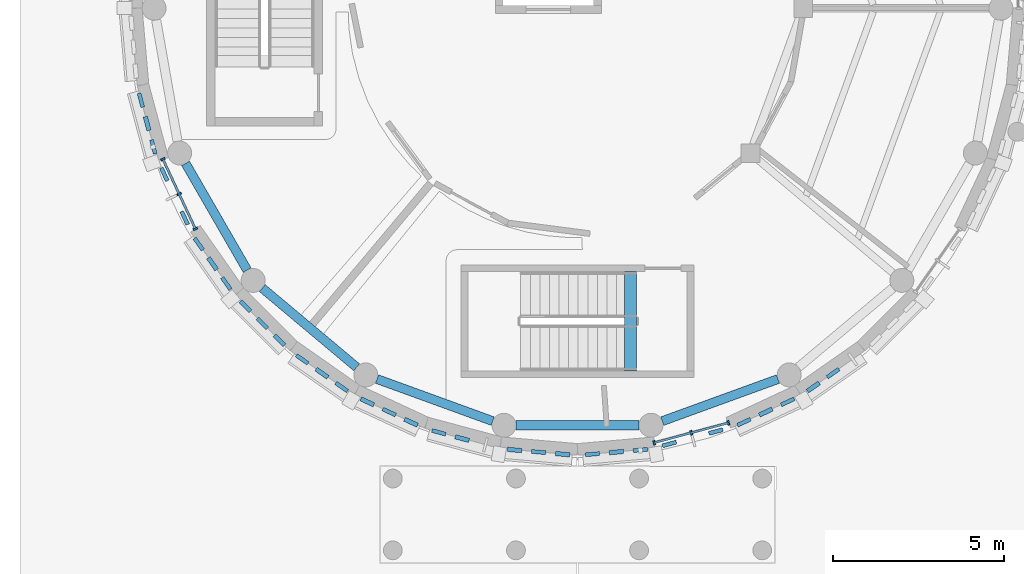
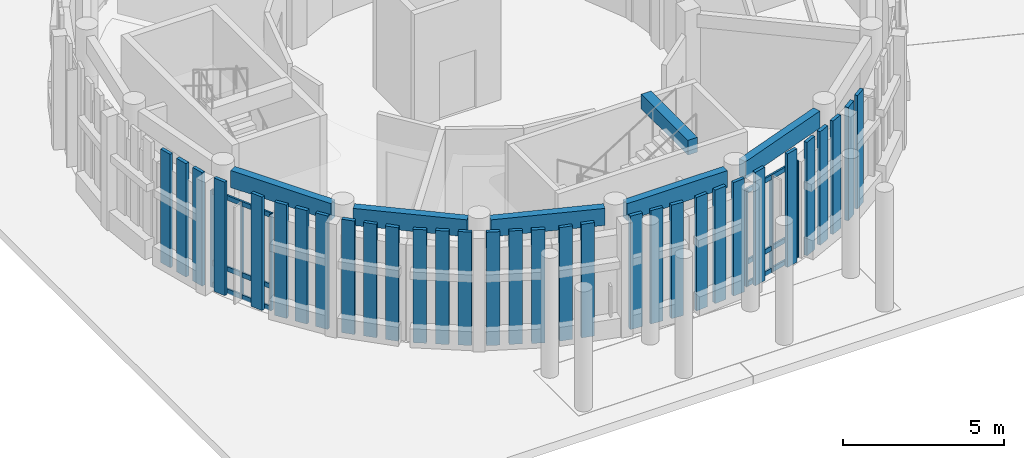
# One storey, part 5 of 94: 44 members, 6 beams, 2 elements without a shape of their own.
"""IFC4 building model written with IfcOpenShell, lengths in metres."""

from ifc_helpers import new_model, si_unit, direction, frame, origin, origin_2d, place, context, subcontext, project, spatial, rectangle, extrude, material, layer, layer_set, material_profile, profile_set, type_object, element, aggregate, save


model = new_model("IFC4")

# Units and contexts
model_context = context("Model", 3, precision=1e-05, world=origin(), true_north=direction((0.0, 1.0)))
body_context = subcontext(model_context, "Body", "Model", "MODEL_VIEW")
ifc_project = project(units=[si_unit("LENGTHUNIT", "METRE"), si_unit("AREAUNIT", "SQUARE_METRE"), si_unit("VOLUMEUNIT", "CUBIC_METRE"), si_unit("PLANEANGLEUNIT", "RADIAN"), si_unit("MASSUNIT", "GRAM", prefix="KILO")], contexts=[model_context])

# Site, building, storey
site_placement = place(None, origin())
site = spatial("IfcSite", under=ifc_project, at=site_placement, CompositionType="ELEMENT")
building_placement = place(site_placement, origin())
building = spatial("IfcBuilding", under=site, at=building_placement, Name="Aldenvaro Health Centre", CompositionType="ELEMENT")
storey_placement = place(building_placement, origin())
storey = spatial("IfcBuildingStorey", under=building, at=storey_placement, Name="L00", CompositionType="ELEMENT", Elevation=0.0)

# Beams
ifc_material_1 = material(Name="Glulam GL28h", Category="wood")
ifc_material_profile_1 = material_profile(ifc_material_1, rectangle(XDim=0.264892578125, YDim=0.64599609375, at=origin_2d()), Name="GL 265x646", Category="wood")
ifc_profile_set_1 = profile_set([ifc_material_profile_1], Name="Glulam GL28h")
beam_type_1 = type_object("IfcBeamType", Name="BM-GL-646", PredefinedType="SPANDREL", material=ifc_profile_set_1)
beam_1_placement = place(storey_placement, frame((7.0419921875, 13.962890625, 3.98193359375), z_axis=(0.499779208992, -0.866152840011, 0.0), x_axis=(0.866152840011, 0.499779208992, 0.0)))
element("IfcBeam", 1, at=beam_1_placement, inside=storey, type_object=beam_type_1, Name="D5 L00 perimeter spandrel 11", PredefinedType="SPANDREL", context=body_context, shape_type="SweptSolid", body=[
    extrude(rectangle(XDim=0.264892578125, YDim=0.64599609375, at=origin_2d()), origin(), (0.0, 0.0, 1.0), 3.599853515625),
])
beam_2_placement = place(storey_placement, frame((9.283935546875, 10.31689453125, 3.98193359375), z_axis=(0.766221705246, -0.642576297734, 0.0), x_axis=(0.642576297734, 0.766221705246, 0.0)))
element("IfcBeam", 2, at=beam_2_placement, inside=storey, type_object=beam_type_1, Name="D5 L00 perimeter spandrel 12", PredefinedType="SPANDREL", context=body_context, shape_type="SweptSolid", body=[
    extrude(rectangle(XDim=0.264892578125, YDim=0.64599609375, at=origin_2d()), origin(), (0.0, 0.0, 1.0), 3.599609375),
])
beam_3_placement = place(storey_placement, frame((12.638916015625, 7.658935546875, 3.98193359375), z_axis=(0.939694357354, -0.342015372106, 0.0), x_axis=(0.342015372106, 0.939694357354, 0.0)))
element("IfcBeam", 3, at=beam_3_placement, inside=storey, type_object=beam_type_1, Name="D5 L00 perimeter spandrel 13", PredefinedType="SPANDREL", context=body_context, shape_type="SweptSolid", body=[
    extrude(rectangle(XDim=0.264892578125, YDim=0.64599609375, at=origin_2d()), origin(), (0.0, 0.0, 1.0), 3.59912109375),
])
beam_4_placement = place(storey_placement, frame((16.699951171875, 6.30810546875, 3.98193359375), z_axis=(1.0, 0.0, 0.0), x_axis=(0.0, 1.0, 0.0)))
element("IfcBeam", 4, at=beam_4_placement, inside=storey, type_object=beam_type_1, Name="D5 L00 perimeter spandrel 14", PredefinedType="SPANDREL", context=body_context, shape_type="SweptSolid", body=[
    extrude(rectangle(XDim=0.264892578125, YDim=0.64599609375, at=origin_2d()), origin(), (0.0, 0.0, 1.0), 3.60009765625),
])
beam_5_placement = place(storey_placement, frame((20.97900390625, 6.427978515625, 3.98193359375), z_axis=(0.939694357354, 0.342015372106, 0.0), x_axis=(-0.342015372106, 0.939694357354, 0.0)))
element("IfcBeam", 5, at=beam_5_placement, inside=storey, type_object=beam_type_1, Name="D5 L00 perimeter spandrel 15", PredefinedType="SPANDREL", context=body_context, shape_type="SweptSolid", body=[
    extrude(rectangle(XDim=0.264892578125, YDim=0.64599609375, at=origin_2d()), origin(), (0.0, 0.0, 1.0), 3.59912109375),
])
ifc_material_2 = material(Name="Concrete f'c 40 MPa", Category="concrete")
ifc_material_profile_2 = material_profile(ifc_material_2, rectangle(XDim=0.35009765625, YDim=0.56005859375, at=origin_2d()), Name="RC 350x560", Category="concrete")
ifc_profile_set_2 = profile_set([ifc_material_profile_2], Name="Concrete f'c 40 MPa")
beam_type_2 = type_object("IfcBeamType", Name="BM-RC-560", PredefinedType="JOIST", material=ifc_profile_set_2)
beam_6_placement = place(storey_placement, frame((20.050048828125, 10.800048828125, 4.27001953125), z_axis=(0.0, -1.0, 0.0), x_axis=(1.0, 0.0, 0.0)))
element("IfcBeam", 6, at=beam_6_placement, inside=storey, type_object=beam_type_2, Name="ST-10 L01 stair landing trimmer beam", PredefinedType="JOIST", context=body_context, shape_type="SweptSolid", body=[
    extrude(rectangle(XDim=0.35009765625, YDim=0.56005859375, at=origin_2d()), origin(), (0.0, 0.0, 1.0), 2.900146484375),
])

# Curtain wall, members
ifc_material_3 = material(Name="Anodised Aluminium 6063-T6", Category="aluminium")
ifc_layer = layer(ifc_material_3, 0.195068359375, Name="Anodised Aluminium 6063-T6", Category="aluminium")
ifc_layer_set = layer_set([ifc_layer], Name="Anodised Aluminium 6063-T6")
curtain_wall_type = type_object("IfcCurtainWallType", Name="CW-CLN-02", PredefinedType="NOTDEFINED", material=ifc_layer_set)
curtain_wall_1_placement = place(storey_placement, origin())
curtain_wall_1 = element("IfcCurtainWall", 7, at=curtain_wall_1_placement, inside=storey, type_object=curtain_wall_type, Name="D5 L00 curtain wall bay 08", PredefinedType="NOTDEFINED")
ifc_material_profile_3 = material_profile(ifc_material_3, rectangle(XDim=0.06005859375, YDim=0.135009765625, at=origin_2d()), Name="ALU 60x135", Category="aluminium")
ifc_profile_set_3 = profile_set([ifc_material_profile_3], Name="Anodised Aluminium 6063-T6")
member_type_1 = type_object("IfcMemberType", Name="CWM-150", PredefinedType="MULLION", material=ifc_profile_set_3)
member_1_placement = place(storey_placement, frame((22.912109375, 6.3779296875, 0.0), z_axis=(0.0, 0.0, 1.0), x_axis=(-0.9659242304, -0.258825000966, 0.0)))
member_1 = element("IfcMember", 8, at=member_1_placement, type_object=member_type_1, Name="D5 L00 curtain wall bay 08 mullion 1", PredefinedType="MULLION", context=body_context, shape_type="SweptSolid", body=[
    extrude(rectangle(XDim=0.06005859375, YDim=0.135009765625, at=origin_2d()), origin(), (0.0, 0.0, 1.0), 3.658935546875),
])
member_2_placement = place(storey_placement, frame((21.825927734375, 6.0869140625, 0.0), z_axis=(0.0, 0.0, 1.0), x_axis=(-0.9659242304, -0.258825000966, 0.0)))
member_2 = element("IfcMember", 9, at=member_2_placement, type_object=member_type_1, Name="D5 L00 curtain wall bay 08 mullion 2", PredefinedType="MULLION", context=body_context, shape_type="SweptSolid", body=[
    extrude(rectangle(XDim=0.06005859375, YDim=0.135009765625, at=origin_2d()), origin(), (0.0, 0.0, 1.0), 3.658935546875),
])
member_3_placement = place(storey_placement, frame((20.739990234375, 5.7958984375, 0.0), z_axis=(0.0, 0.0, 1.0), x_axis=(-0.9659242304, -0.258825000966, 0.0)))
member_3 = element("IfcMember", 10, at=member_3_placement, type_object=member_type_1, Name="D5 L00 curtain wall bay 08 mullion 3", PredefinedType="MULLION", context=body_context, shape_type="SweptSolid", body=[
    extrude(rectangle(XDim=0.06005859375, YDim=0.135009765625, at=origin_2d()), origin(), (0.0, 0.0, 1.0), 3.658935546875),
])

curtain_wall_2_placement = place(storey_placement, origin())
curtain_wall_2 = element("IfcCurtainWall", 11, at=curtain_wall_2_placement, inside=storey, type_object=curtain_wall_type, Name="D5 L00 curtain wall bay 16", PredefinedType="NOTDEFINED")
member_4_placement = place(storey_placement, frame((7.327880859375, 12.050048828125, 0.0), z_axis=(0.0, 0.0, 1.0), x_axis=(-0.422495879545, 0.906364844733, 0.0)))
member_4 = element("IfcMember", 12, at=member_4_placement, type_object=member_type_1, Name="D5 L00 curtain wall bay 16 mullion 1", PredefinedType="MULLION", context=body_context, shape_type="SweptSolid", body=[
    extrude(rectangle(XDim=0.06005859375, YDim=0.135009765625, at=origin_2d()), origin(), (0.0, 0.0, 1.0), 3.658935546875),
])
member_5_placement = place(storey_placement, frame((6.85302734375, 13.069091796875, 0.0), z_axis=(0.0, 0.0, 1.0), x_axis=(-0.422495879545, 0.906364844733, 0.0)))
member_5 = element("IfcMember", 13, at=member_5_placement, type_object=member_type_1, Name="D5 L00 curtain wall bay 16 mullion 2", PredefinedType="MULLION", context=body_context, shape_type="SweptSolid", body=[
    extrude(rectangle(XDim=0.06005859375, YDim=0.135009765625, at=origin_2d()), origin(), (0.0, 0.0, 1.0), 3.658935546875),
])
member_6_placement = place(storey_placement, frame((6.3779296875, 14.087890625, 0.0), z_axis=(0.0, 0.0, 1.0), x_axis=(-0.422495879545, 0.906364844733, 0.0)))
member_6 = element("IfcMember", 14, at=member_6_placement, type_object=member_type_1, Name="D5 L00 curtain wall bay 16 mullion 3", PredefinedType="MULLION", context=body_context, shape_type="SweptSolid", body=[
    extrude(rectangle(XDim=0.06005859375, YDim=0.135009765625, at=origin_2d()), origin(), (0.0, 0.0, 1.0), 3.658935546875),
])

# Member
ifc_material_profile_4 = material_profile(ifc_material_3, rectangle(XDim=0.06494140625, YDim=0.179931640625, at=origin_2d()), Name="ALU 65x180", Category="aluminium")
ifc_profile_set_4 = profile_set([ifc_material_profile_4], Name="Anodised Aluminium 6063-T6")
member_type_2 = type_object("IfcMemberType", Name="CWT-150", PredefinedType="USERDEFINED", material=ifc_profile_set_4)
member_7_placement = place(storey_placement, frame((22.912109375, 6.3779296875, 0.06005859375), z_axis=(-0.96592430538, -0.258824721145, 0.0), x_axis=(0.258824721145, -0.96592430538, 0.0)))
member_7 = element("IfcMember", 15, at=member_7_placement, type_object=member_type_2, Name="D5 L00 curtain wall bay 08 transom 1", ObjectType="TRANSOM", PredefinedType="USERDEFINED", context=body_context, shape_type="SweptSolid", body=[
    extrude(rectangle(XDim=0.06494140625, YDim=0.179931640625, at=origin_2d()), origin(), (0.0, 0.0, 1.0), 2.248779296875),
])

member_8_placement = place(storey_placement, frame((22.912109375, 6.3779296875, 0.89990234375), z_axis=(-0.96592430538, -0.258824721145, 0.0), x_axis=(0.258824721145, -0.96592430538, 0.0)))
member_8 = element("IfcMember", 16, at=member_8_placement, type_object=member_type_2, Name="D5 L00 curtain wall bay 08 transom 2", ObjectType="TRANSOM", PredefinedType="USERDEFINED", context=body_context, shape_type="SweptSolid", body=[
    extrude(rectangle(XDim=0.06494140625, YDim=0.179931640625, at=origin_2d()), origin(), (0.0, 0.0, 1.0), 2.248779296875),
])

member_9_placement = place(storey_placement, frame((22.912109375, 6.3779296875, 3.59912109375), z_axis=(-0.96592430538, -0.258824721145, 0.0), x_axis=(0.258824721145, -0.96592430538, 0.0)))
member_9 = element("IfcMember", 17, at=member_9_placement, type_object=member_type_2, Name="D5 L00 curtain wall bay 08 transom 3", ObjectType="TRANSOM", PredefinedType="USERDEFINED", context=body_context, shape_type="SweptSolid", body=[
    extrude(rectangle(XDim=0.06494140625, YDim=0.179931640625, at=origin_2d()), origin(), (0.0, 0.0, 1.0), 2.248779296875),
])

aggregate(curtain_wall_1, [member_1, member_2, member_3, member_7, member_8, member_9])

member_10_placement = place(storey_placement, frame((7.327880859375, 12.050048828125, 0.06005859375), z_axis=(-0.422504983593, 0.906360600886, 0.0), x_axis=(-0.906360600886, -0.422504983593, 0.0)))
member_10 = element("IfcMember", 18, at=member_10_placement, type_object=member_type_2, Name="D5 L00 curtain wall bay 16 transom 1", ObjectType="TRANSOM", PredefinedType="USERDEFINED", context=body_context, shape_type="SweptSolid", body=[
    extrude(rectangle(XDim=0.06494140625, YDim=0.179931640625, at=origin_2d()), origin(), (0.0, 0.0, 1.0), 2.248291015625),
])

member_11_placement = place(storey_placement, frame((7.327880859375, 12.050048828125, 0.89990234375), z_axis=(-0.422504983593, 0.906360600886, 0.0), x_axis=(-0.906360600886, -0.422504983593, 0.0)))
member_11 = element("IfcMember", 19, at=member_11_placement, type_object=member_type_2, Name="D5 L00 curtain wall bay 16 transom 2", ObjectType="TRANSOM", PredefinedType="USERDEFINED", context=body_context, shape_type="SweptSolid", body=[
    extrude(rectangle(XDim=0.06494140625, YDim=0.179931640625, at=origin_2d()), origin(), (0.0, 0.0, 1.0), 2.248291015625),
])

member_12_placement = place(storey_placement, frame((7.327880859375, 12.050048828125, 3.59912109375), z_axis=(-0.422504983593, 0.906360600886, 0.0), x_axis=(-0.906360600886, -0.422504983593, 0.0)))
member_12 = element("IfcMember", 20, at=member_12_placement, type_object=member_type_2, Name="D5 L00 curtain wall bay 16 transom 3", ObjectType="TRANSOM", PredefinedType="USERDEFINED", context=body_context, shape_type="SweptSolid", body=[
    extrude(rectangle(XDim=0.06494140625, YDim=0.179931640625, at=origin_2d()), origin(), (0.0, 0.0, 1.0), 2.248291015625),
])

aggregate(curtain_wall_2, [member_4, member_5, member_6, member_10, member_11, member_12])

# Members
ifc_material_profile_5 = material_profile(ifc_material_1, rectangle(XDim=0.114990234375, YDim=0.419921875, at=origin_2d()), Name="GL 115x420", Category="wood")
ifc_profile_set_5 = profile_set([ifc_material_profile_5], Name="Glulam GL28h")
member_type_3 = type_object("IfcMemberType", Name="MEM-SLT-420A", PredefinedType="POST", material=ifc_profile_set_5)
for number, where, z_axis, x_axis, name in (
    (21, (25.970947265625, 7.830078125, 0.0), (0.0, 0.0, 1.0), (0.573641397746, -0.819106553991, 0.0), "D5 L00 vertical timber slat 6.2"),
    (22, (24.64306640625, 6.991943359375, 0.0), (0.0, 0.0, 1.0), (0.422495879545, -0.906364844733, 0.0), "D5 L00 vertical timber slat 7.1"),
    (23, (23.366943359375, 6.39697265625, 0.0), (0.0, 0.0, 1.0), (0.422495879545, -0.906364844733, 0.0), "D5 L00 vertical timber slat 7.3"),
    (24, (22.544921875, 6.1240234375, 0.0), (0.0, 0.0, 1.0), (0.258825000966, -0.9659242304, 0.0), "D5 L00 curtain mullion timber slat 8"),
    (25, (21.18505859375, 5.760009765625, 0.0), (0.0, 0.0, 1.0), (0.258825000966, -0.9659242304, 0.0), "D5 L00 curtain mullion timber slat 8"),
    (26, (20.3369140625, 5.5849609375, 0.0), (0.0, 0.0, 1.0), (0.087166950289, -0.996193717495, 0.0), "D5 L00 vertical timber slat 9.1"),
    (27, (18.93408203125, 5.4619140625, 0.0), (0.0, 0.0, 1.0), (0.087166950289, -0.996193717495, 0.0), "D5 L00 vertical timber slat 9.3"),
    (28, (17.364990234375, 5.52392578125, 0.0), (0.0, 0.0, 1.0), (-0.087166950289, -0.996193717495, 0.0), "D5 L00 vertical timber slat 10.2"),
    (29, (14.447998046875, 6.10009765625, 0.0), (0.0, 0.0, 1.0), (-0.258825000966, -0.9659242304, 0.0), "D5 L00 vertical timber slat 11.3"),
    (30, (12.9951171875, 6.694091796875, 0.0), (0.0, 0.0, 1.0), (-0.422495879545, -0.906364844733, 0.0), "D5 L00 vertical timber slat 12.2"),
    (31, (11.60595703125, 7.426025390625, 0.0), (0.0, 0.0, 1.0), (-0.573641397746, -0.819106553991, 0.0), "D5 L00 vertical timber slat 13.1"),
    (32, (10.451904296875, 8.23388671875, 0.0), (0.0, 0.0, 1.0), (-0.573641397746, -0.819106553991, 0.0), "D5 L00 vertical timber slat 13.3"),
    (33, (9.2890625, 9.2890625, 0.0), (0.0, 0.0, 1.0), (-0.707106781187, -0.707106781187, 0.0), "D5 L00 vertical timber slat 14.2"),
    (34, (8.23388671875, 10.451904296875, 0.0), (0.0, 0.0, 1.0), (-0.819106553991, -0.573641397746, 0.0), "D5 L00 vertical timber slat 15.1"),
    (35, (7.426025390625, 11.60595703125, 0.0), (0.0, 0.0, 1.0), (-0.819106553991, -0.573641397746, 0.0), "D5 L00 vertical timber slat 15.3"),
    (36, (7.014892578125, 12.366943359375, 0.0), (0.0, 0.0, 1.0), (-0.906364844733, -0.422495879545, 0.0), "D5 L00 curtain mullion timber slat 16"),
    (37, (6.4189453125, 13.64404296875, 0.0), (0.0, 0.0, 1.0), (-0.906364844733, -0.422495879545, 0.0), "D5 L00 curtain mullion timber slat 16"),
    (38, (6.10009765625, 14.447998046875, 0.0), (0.0, 0.0, 1.0), (-0.9659242304, -0.258825000966, 0.0), "D5 L00 vertical timber slat 17.1"),
    (39, (5.736083984375, 15.80908203125, 0.0), (0.0, 0.0, 1.0), (-0.9659242304, -0.258825000966, 0.0), "D5 L00 vertical timber slat 17.3"),
):
    element("IfcMember", number, at=place(storey_placement, frame(where, z_axis=z_axis, x_axis=x_axis)), inside=storey, type_object=member_type_3, Name=name, PredefinedType="POST", context=body_context, shape_type="SweptSolid", body=[
        extrude(rectangle(XDim=0.114990234375, YDim=0.419921875, at=origin_2d()), origin(), (0.0, 0.0, 1.0), 4.304931640625),
    ])
ifc_material_profile_6 = material_profile(ifc_material_1, rectangle(XDim=0.1298828125, YDim=0.419921875, at=origin_2d()), Name="GL 130x420", Category="wood")
ifc_profile_set_6 = profile_set([ifc_material_profile_6], Name="Glulam GL28h")
member_type_4 = type_object("IfcMemberType", Name="MEM-SLT-420B", PredefinedType="POST", material=ifc_profile_set_6)
for number, where, z_axis, x_axis, name in (
    (40, (25.39404296875, 7.426025390625, 0.0), (0.0, 0.0, 1.0), (0.573641397746, -0.819106553991, 0.0), "D5 L00 vertical timber slat 6.3"),
    (41, (24.0048828125, 6.694091796875, 0.0), (0.0, 0.0, 1.0), (0.422495879545, -0.906364844733, 0.0), "D5 L00 vertical timber slat 7.2"),
    (42, (19.635009765625, 5.52392578125, 0.0), (0.0, 0.0, 1.0), (0.087166950289, -0.996193717495, 0.0), "D5 L00 vertical timber slat 9.2"),
    (43, (18.06591796875, 5.4619140625, 0.0), (0.0, 0.0, 1.0), (-0.087166950289, -0.996193717495, 0.0), "D5 L00 vertical timber slat 10.1"),
    (44, (16.6630859375, 5.5849609375, 0.0), (0.0, 0.0, 1.0), (-0.087166950289, -0.996193717495, 0.0), "D5 L00 vertical timber slat 10.3"),
    (45, (15.12890625, 5.91796875, 0.0), (0.0, 0.0, 1.0), (-0.258825000966, -0.9659242304, 0.0), "D5 L00 vertical timber slat 11.2"),
    (46, (13.633056640625, 6.39697265625, 0.0), (0.0, 0.0, 1.0), (-0.422495879545, -0.906364844733, 0.0), "D5 L00 vertical timber slat 12.1"),
    (47, (12.35693359375, 6.991943359375, 0.0), (0.0, 0.0, 1.0), (-0.422495879545, -0.906364844733, 0.0), "D5 L00 vertical timber slat 12.3"),
    (48, (11.029052734375, 7.830078125, 0.0), (0.0, 0.0, 1.0), (-0.573641397746, -0.819106553991, 0.0), "D5 L00 vertical timber slat 13.2"),
    (49, (9.787109375, 8.791015625, 0.0), (0.0, 0.0, 1.0), (-0.707106781187, -0.707106781187, 0.0), "D5 L00 vertical timber slat 14.1"),
    (50, (8.791015625, 9.787109375, 0.0), (0.0, 0.0, 1.0), (-0.707106781187, -0.707106781187, 0.0), "D5 L00 vertical timber slat 14.3"),
    (51, (7.830078125, 11.029052734375, 0.0), (0.0, 0.0, 1.0), (-0.819106553991, -0.573641397746, 0.0), "D5 L00 vertical timber slat 15.2"),
    (52, (5.91796875, 15.12890625, 0.0), (0.0, 0.0, 1.0), (-0.9659242304, -0.258825000966, 0.0), "D5 L00 vertical timber slat 17.2"),
):
    element("IfcMember", number, at=place(storey_placement, frame(where, z_axis=z_axis, x_axis=x_axis)), inside=storey, type_object=member_type_4, Name=name, PredefinedType="POST", context=body_context, shape_type="SweptSolid", body=[
        extrude(rectangle(XDim=0.1298828125, YDim=0.419921875, at=origin_2d()), origin(), (0.0, 0.0, 1.0), 4.304931640625),
    ])

save(model, "model.ifc")
